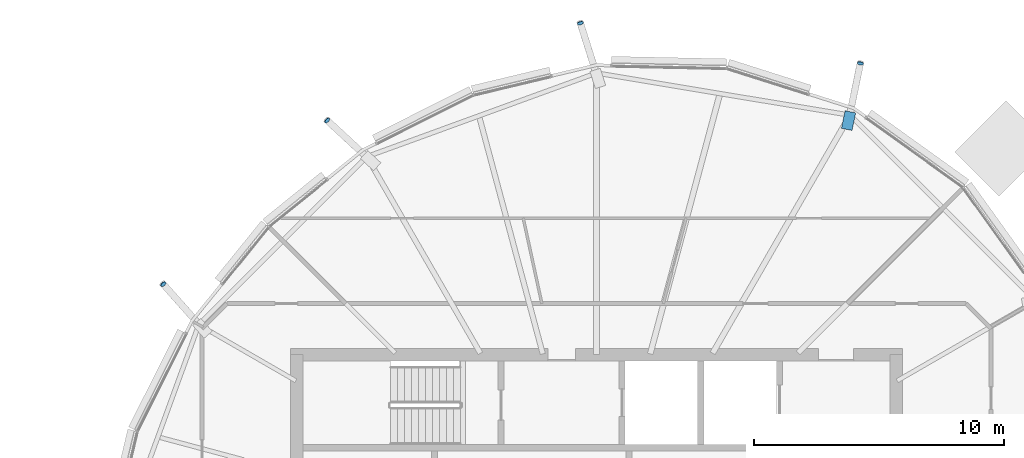
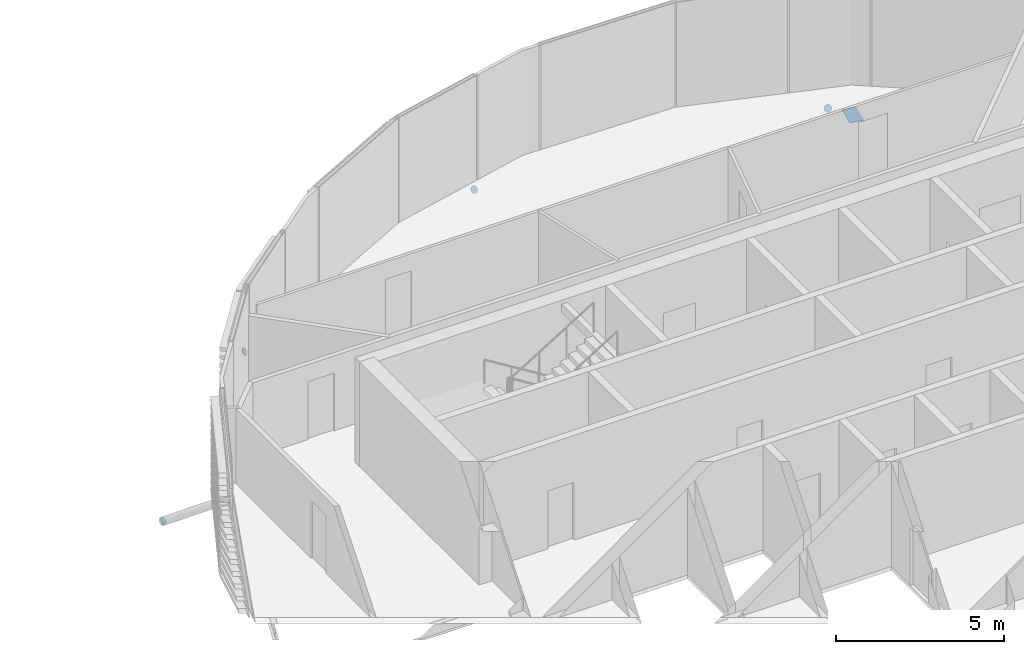
# One storey, part 28 of 35: 5 discrete accessories.
"""IFC4 building model written with IfcOpenShell, lengths in metres."""

import ifcopenshell
import ifcopenshell.guid

model = None  # the IFC model being written
_history = None  # IfcOwnerHistory: only IFC2X3 demands one
_inside = {}  # id of a spatial element -> (the spatial element, [elements in it])
_under = {}  # id of a project, library or spatial element -> (it, [spatial elements below it])
_declared = {}  # id of a project -> (the project, [libraries it declares])
_typed = {}  # id of a type object -> (the type object, [elements of that type])
_made_of = {}  # id of a material, layer set ... -> (it, [elements and type objects made of it])


def new_model(schema):
    """Start an empty IFC model of exactly this schema.

    Asked for "IFC4X3", IfcOpenShell would pick the latest addendum, in which some entities
    have other attributes; the version numbers below select the first issue.
    IFC2X3 requires an IfcOwnerHistory on every rooted entity: one is made here for all.
    """
    global model, _history
    if schema == "IFC4X3":
        model = ifcopenshell.file(schema_version=(4, 3, 0, 0))
    else:
        model = ifcopenshell.file(schema=schema)
    _inside.clear()
    _under.clear()
    _declared.clear()
    _typed.clear()
    _made_of.clear()
    _history = None
    if model.schema == "IFC2X3":
        org = make("IfcOrganization", Name="unknown")
        user = make(
            "IfcPersonAndOrganization",
            ThePerson=make("IfcPerson", FamilyName="unknown"),
            TheOrganization=org,
        )
        app = make(
            "IfcApplication",
            ApplicationDeveloper=org,
            Version="unknown",
            ApplicationFullName="unknown",
            ApplicationIdentifier="unknown",
        )
        _history = make(
            "IfcOwnerHistory",
            OwningUser=user,
            OwningApplication=app,
            ChangeAction="ADDED",
            CreationDate=0,
        )
    return model


def make(cls, **values):
    """One entity of the class cls with the attributes given. An attribute that is None is left unset."""
    return model.create_entity(
        cls, **{name: value for name, value in values.items() if value is not None}
    )


def rooted(cls, **values):
    """An entity with a GlobalId (a new one), such as an element, a storey or a relation."""
    return make(cls, GlobalId=ifcopenshell.guid.new(), OwnerHistory=_history, **values)


def si_unit(unit_type, name, prefix=None):
    """IfcSIUnit, for example si_unit("LENGTHUNIT", "METRE", prefix="MILLI")."""
    return make("IfcSIUnit", UnitType=unit_type, Prefix=prefix, Name=name)


def assignment(units):
    """IfcUnitAssignment: the units of a project."""
    return None if units is None else make("IfcUnitAssignment", Units=units)


def point(xyz):
    """IfcCartesianPoint."""
    return None if xyz is None else make("IfcCartesianPoint", Coordinates=xyz)


def direction(xyz):
    """IfcDirection."""
    return None if xyz is None else make("IfcDirection", DirectionRatios=xyz)


def frame(location, z_axis=None, x_axis=None):
    """IfcAxis2Placement3D, a coordinate frame: its origin and axes. An axis left out is left unset."""
    return make(
        "IfcAxis2Placement3D",
        Location=point(location),
        Axis=direction(z_axis),
        RefDirection=direction(x_axis),
    )


def frame_2d(location, x_axis=None):
    """IfcAxis2Placement2D, a coordinate frame in the plane: its origin and x axis."""
    return make(
        "IfcAxis2Placement2D", Location=point(location), RefDirection=direction(x_axis)
    )


def origin():
    """The frame at (0, 0, 0) with its axes left unset."""
    return frame((0.0, 0.0, 0.0))


def origin_2d():
    """The frame at (0, 0) in the plane with its x axis left unset."""
    return frame_2d((0.0, 0.0))


def place(relative_to, where):
    """IfcLocalPlacement: puts the frame where relative to a parent placement (None: the world)."""
    return make(
        "IfcLocalPlacement", PlacementRelTo=relative_to, RelativePlacement=where
    )


def context(
    kind, dimensions, precision=None, world=None, true_north=None, identifier=None
):
    """IfcGeometricRepresentationContext, for example the 3D "Model" context."""
    return make(
        "IfcGeometricRepresentationContext",
        ContextIdentifier=identifier,
        ContextType=kind,
        CoordinateSpaceDimension=dimensions,
        Precision=precision,
        WorldCoordinateSystem=world,
        TrueNorth=true_north,
    )


def subcontext(parent, identifier, kind, view, scale=None):
    """IfcGeometricRepresentationSubContext, for example "Body" below "Model"."""
    return make(
        "IfcGeometricRepresentationSubContext",
        ContextIdentifier=identifier,
        ContextType=kind,
        ParentContext=parent,
        TargetScale=scale,
        TargetView=view,
    )


def project(units=None, contexts=None):
    """IfcProject with its units and contexts."""
    return rooted(
        "IfcProject",
        Name="project",
        RepresentationContexts=contexts,
        UnitsInContext=assignment(units),
    )


def spatial(cls, under=None, at=None, **own):
    """A site, building, storey or space (cls), placed at a placement, below another one or the project."""
    s = rooted(cls, ObjectPlacement=at, **own)
    if under is not None:
        _under.setdefault(under.id(), (under, []))[1].append(s)
    return s


def polyline(points):
    """IfcPolyline through the points."""
    return make("IfcPolyline", Points=[point(p) for p in points])


def profile(cls, at=None, kind="AREA", **sizes):
    """A parametric profile (cls). Its sizes go by their IFC names, for example OverallWidth=200.0."""
    return make(cls, ProfileType=kind, Position=at, **sizes)


def rectangle(**sizes):
    """IfcRectangleProfileDef."""
    return profile("IfcRectangleProfileDef", **sizes)


def circle(**sizes):
    """IfcCircleProfileDef."""
    return profile("IfcCircleProfileDef", **sizes)


def outline(outer, holes=None, kind="AREA"):
    """IfcArbitraryClosedProfileDef: a profile drawn as a closed curve; with holes, ...WithVoids."""
    if holes is None:
        return make("IfcArbitraryClosedProfileDef", ProfileType=kind, OuterCurve=outer)
    return make(
        "IfcArbitraryProfileDefWithVoids",
        ProfileType=kind,
        OuterCurve=outer,
        InnerCurves=holes,
    )


def extrude(swept, where, along, depth):
    """IfcExtrudedAreaSolid: the profile swept, set in the frame where, extruded along a direction by depth."""
    return make(
        "IfcExtrudedAreaSolid",
        SweptArea=swept,
        Position=where,
        ExtrudedDirection=direction(along),
        Depth=depth,
    )


def shape(context_of_items, identifier, shape_type, items):
    """IfcShapeRepresentation: the items that make up one representation, for example the "Body"."""
    return make(
        "IfcShapeRepresentation",
        ContextOfItems=context_of_items,
        RepresentationIdentifier=identifier,
        RepresentationType=shape_type,
        Items=items,
    )


def material(Name=None, Category=None):
    """IfcMaterial."""
    return make("IfcMaterial", Name=Name, Category=Category)


def material_profile(
    of_material, cross_section, Name=None, Category=None, Priority=None
):
    """IfcMaterialProfile: a cross section and its material."""
    return make(
        "IfcMaterialProfile",
        Name=Name,
        Material=of_material,
        Profile=cross_section,
        Priority=Priority,
        Category=Category,
    )


def profile_set(profiles, Name=None, composite=None):
    """IfcMaterialProfileSet."""
    return make(
        "IfcMaterialProfileSet",
        Name=Name,
        MaterialProfiles=profiles,
        CompositeProfile=composite,
    )


def made_of(thing, what):
    """Note that an element or type object is made of a material, layer set ...; save() writes the relation."""
    if what is not None:
        _made_of.setdefault(what.id(), (what, []))[1].append(thing)
    return thing


def type_object(cls, material=None, **own):
    """A type object (cls), such as IfcWallType, which elements share."""
    return made_of(rooted(cls, **own), material)


def element(
    cls,
    number,
    at=None,
    inside=None,
    cuts=None,
    type_object=None,
    material=None,
    context=None,
    identifier="Body",
    shape_type=None,
    held_by="IfcProductDefinitionShape",
    body=None,
    shapes=None,
    **own,
):
    """One element of the class cls, such as IfcWall. Its Tag is "e" and its number.

    at: its placement. inside: the storey or other place that contains it. cuts: it is an
    opening in that element (IfcRelVoidsElement). A single representation is given by context,
    identifier, shape_type and body (its items); several are given by shapes. held_by: the class
    of the entity that holds the representations. save() writes the other relations.
    """
    e = rooted(cls, Tag="e%d" % number, ObjectPlacement=at, **own)
    if body is not None:
        shapes = [shape(context, identifier, shape_type, body)]
    if shapes is not None:
        e.Representation = make(held_by, Representations=shapes)
    if inside is not None:
        _inside.setdefault(inside.id(), (inside, []))[1].append(e)
    if cuts is not None:
        rooted(
            "IfcRelVoidsElement", RelatingBuildingElement=cuts, RelatedOpeningElement=e
        )
    if type_object is not None:
        _typed.setdefault(type_object.id(), (type_object, []))[1].append(e)
    return made_of(e, material)


def aggregate(whole, parts):
    """IfcRelAggregates: a whole, such as a stair, and the parts it consists of."""
    return rooted("IfcRelAggregates", RelatingObject=whole, RelatedObjects=parts)


def save(model, path):
    """Write the relations noted so far, then the file.

    IfcRelAggregates (storeys below a building ...), IfcRelContainedInSpatialStructure (elements
    in a storey), IfcRelDefinesByType, IfcRelAssociatesMaterial and IfcRelDeclares: one each for
    every whole, place, type object, material and project.
    """
    for whole, parts in _under.values():
        aggregate(whole, parts)
    for where, things in _inside.values():
        rooted(
            "IfcRelContainedInSpatialStructure",
            RelatedElements=things,
            RelatingStructure=where,
        )
    for kind, things in _typed.values():
        rooted("IfcRelDefinesByType", RelatedObjects=things, RelatingType=kind)
    for what, things in _made_of.values():
        rooted("IfcRelAssociatesMaterial", RelatedObjects=things, RelatingMaterial=what)
    for by, libraries in _declared.values():
        rooted("IfcRelDeclares", RelatingContext=by, RelatedDefinitions=libraries)
    model.write(path)


model = new_model("IFC4")

# Units and contexts
model_context = context("Model", 3, precision=1e-05, world=origin(), true_north=direction((0.0, 1.0)))
body_context = subcontext(model_context, "Body", "Model", "MODEL_VIEW")
ifc_project = project(units=[si_unit("LENGTHUNIT", "METRE"), si_unit("AREAUNIT", "SQUARE_METRE"), si_unit("VOLUMEUNIT", "CUBIC_METRE"), si_unit("PLANEANGLEUNIT", "RADIAN"), si_unit("MASSUNIT", "GRAM", prefix="KILO")], contexts=[model_context])

# Site, building, storey
site_placement = place(None, origin())
site = spatial("IfcSite", under=ifc_project, at=site_placement, CompositionType="ELEMENT")
building_placement = place(site_placement, origin())
building = spatial("IfcBuilding", under=site, at=building_placement, Name="Rimbun Link Towers", CompositionType="ELEMENT")
storey_placement = place(building_placement, frame((0.0, 0.0, 225.699951171875)))
storey = spatial("IfcBuildingStorey", under=building, at=storey_placement, Name="L55", CompositionType="ELEMENT", Elevation=225.699951171875)

# Discrete accessories
ifc_material_1 = material(Name="Steel S355J2H", Category="steel")
ifc_material_profile_1 = material_profile(ifc_material_1, circle(Radius=0.1240234375, at=origin_2d()), Name="PL D248")
ifc_profile_set_1 = profile_set([ifc_material_profile_1], Name="Steel S355J2H")
discrete_accessory_type_1 = type_object("IfcDiscreteAccessoryType", Name="Link foot sealing plate D248X20", PredefinedType="BRACKET", material=ifc_profile_set_1)
for number, where, z_axis, x_axis, name in (
    (1, (42.3154296875, 19.65966796875, -2.0634765625), (0.182913228255, 0.85359506519, -0.48776860868), (-0.977802414077, 0.209529088731, 0.0), "Link foot sealing plate T2 L55 01"),
    (2, (31.105224609375, 21.269775390625, -2.060302734375), (-0.257228578574, 0.832930635384, -0.489959197285), (-0.955474691182, -0.295073066394, 0.0), "Link foot sealing plate T2 L55 03"),
):
    element("IfcDiscreteAccessory", number, at=place(storey_placement, frame(where, z_axis=z_axis, x_axis=x_axis)), inside=storey, type_object=discrete_accessory_type_1, Name=name, PredefinedType="BRACKET", context=body_context, shape_type="SweptSolid", body=[
        extrude(circle(Radius=0.1240234375, at=origin_2d()), origin(), (0.0, 0.0, 1.0), 0.02001953125),
    ])
discrete_accessory_1_placement = place(storey_placement, frame((20.97021484375, 17.376708984375, -2.02734375), z_axis=(-0.639688180697, 0.590481397566, -0.492067831305), x_axis=(-0.678280102733, -0.734803444627, 0.0)))
element("IfcDiscreteAccessory", 3, at=discrete_accessory_1_placement, inside=storey, type_object=discrete_accessory_type_1, Name="Link foot sealing plate T2 L55 05", PredefinedType="BRACKET", context=body_context, shape_type="SweptSolid", body=[
    extrude(circle(Radius=0.1240234375, at=origin_2d()), origin(), (0.0, 0.0, 1.0), 0.019775390625),
])
discrete_accessory_2_placement = place(storey_placement, frame((14.4033203125, 10.8173828125, -1.899169921875), z_axis=(-0.563284074751, 0.636755910588, -0.526548156832), x_axis=(-0.74899656249, -0.662573882203, 0.0)))
element("IfcDiscreteAccessory", 4, at=discrete_accessory_2_placement, inside=storey, type_object=discrete_accessory_type_1, Name="Link foot sealing plate T2 L55 07", PredefinedType="BRACKET", context=body_context, shape_type="SweptSolid", body=[
    extrude(circle(Radius=0.1240234375, at=origin_2d()), origin(), (0.0, 0.0, 1.0), 0.02001953125),
])
ifc_material_2 = material(Name="Steel S355J2H", Category="steel")
ifc_material_profile_2 = material_profile(ifc_material_2, rectangle(XDim=0.43310546875, YDim=0.43310546875, at=origin_2d()), Name="PL 433x433")
ifc_profile_set_2 = profile_set([ifc_material_profile_2], Name="Steel S355J2H")
discrete_accessory_type_2 = type_object("IfcDiscreteAccessoryType", Name="Link head end plate 433X20", PredefinedType="BRACKET", material=ifc_profile_set_2)
discrete_accessory_3_placement = place(storey_placement, frame((0.0, 0.0, -0.762451171875)))
element("IfcDiscreteAccessory", 5, at=discrete_accessory_3_placement, inside=storey, type_object=discrete_accessory_type_2, Name="Link head end plate T2 L55 01", PredefinedType="BRACKET", context=body_context, shape_type="SweptSolid", body=[
    extrude(outline(polyline([(41.985107421875, 16.9775390625), (42.130126953125, 17.68359375), (41.7060546875, 17.770751953125), (41.560791015625, 17.064697265625), (41.985107421875, 16.9775390625)])), origin(), (0.0, 0.0, 1.0), 0.02001953125),
])

save(model, "model.ifc")
